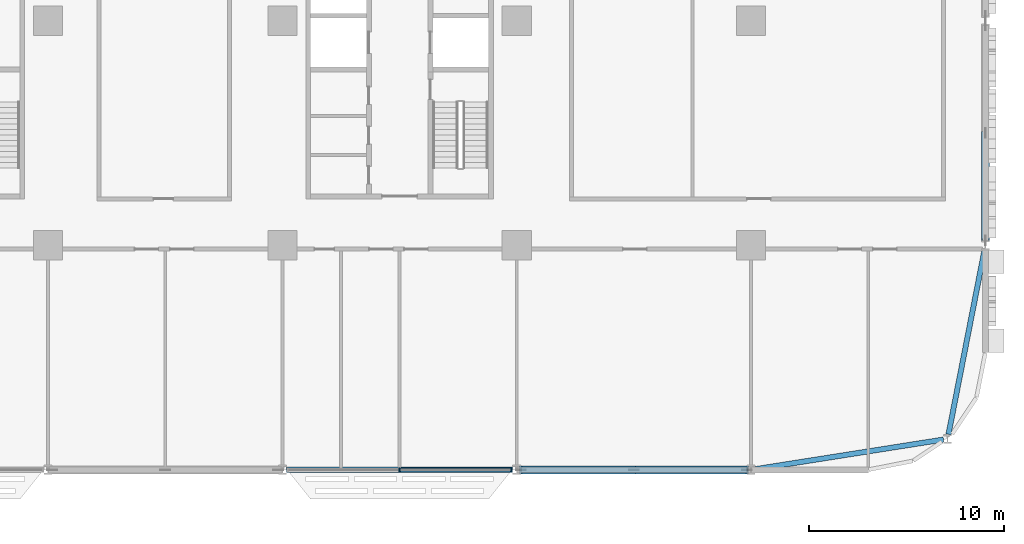
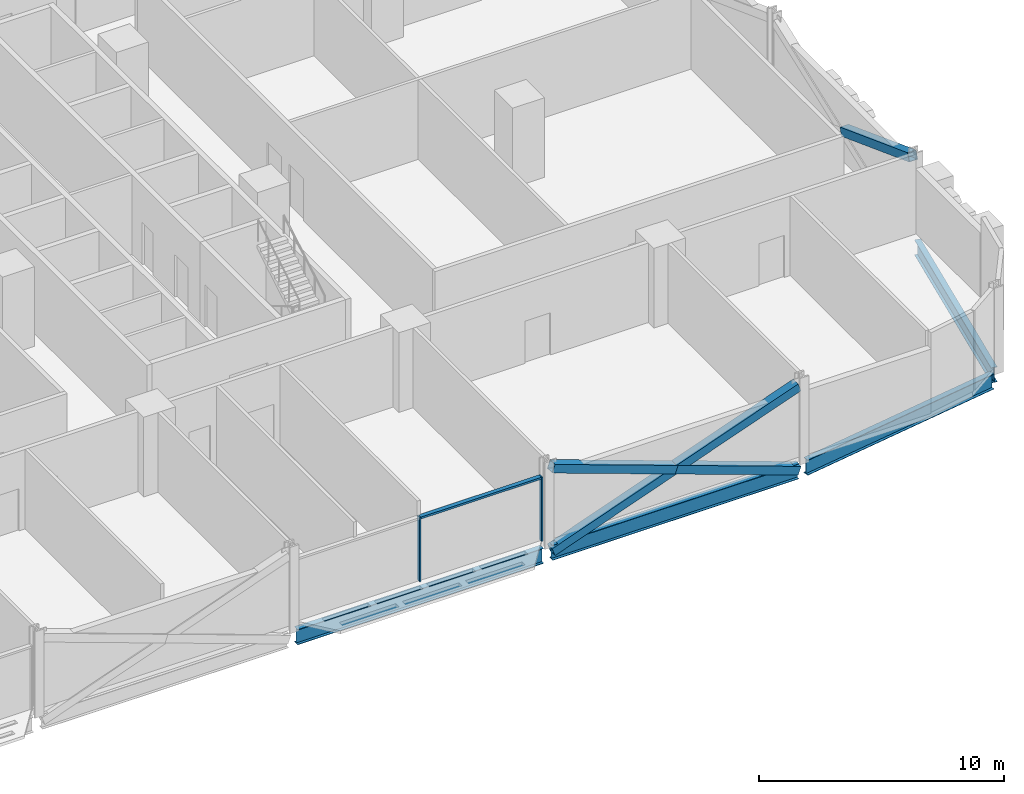
# One storey, part 8 of 29: 7 members, 4 beams, 1 element without a shape of its own.
"""IFC4 building model written with IfcOpenShell, lengths in metres."""

from ifc_helpers import new_model, si_unit, direction, frame, origin, origin_2d, place, context, subcontext, project, spatial, rectangle, hollow_rectangle, i_section, extrude, material, material_profile, profile_set, type_object, element, aggregate, save


model = new_model("IFC4")

# Units and contexts
model_context = context("Model", 3, precision=1e-05, world=origin(), true_north=direction((0.0, 1.0)))
body_context = subcontext(model_context, "Body", "Model", "MODEL_VIEW")
ifc_project = project(units=[si_unit("LENGTHUNIT", "METRE"), si_unit("AREAUNIT", "SQUARE_METRE"), si_unit("VOLUMEUNIT", "CUBIC_METRE"), si_unit("PLANEANGLEUNIT", "RADIAN"), si_unit("MASSUNIT", "GRAM", prefix="KILO")], contexts=[model_context])

# Site, building, storey
site_placement = place(None, origin())
site = spatial("IfcSite", under=ifc_project, at=site_placement, CompositionType="ELEMENT")
building_placement = place(site_placement, origin())
building = spatial("IfcBuilding", under=site, at=building_placement, Name="Mahtab Terrace Research Tower", CompositionType="ELEMENT")
storey_placement = place(building_placement, frame((0.0, 0.0, 58.89990234375)))
storey = spatial("IfcBuildingStorey", under=building, at=storey_placement, Name="L13", CompositionType="ELEMENT", Elevation=58.89990234375)

# Members
ifc_material_1 = material(Name="Steel ASTM A500 Gr C", Category="steel")
ifc_material_profile_1 = material_profile(ifc_material_1, hollow_rectangle(XDim=0.406494140625, YDim=0.406494140625, WallThickness=0.01904296875, at=origin_2d()), Name="HSS16X16X3/4")
ifc_profile_set_1 = profile_set([ifc_material_profile_1], Name="Steel ASTM A500 Gr C")
member_type_1 = type_object("IfcMemberType", Name="HSS 16x16x3/4 brace XB161634", PredefinedType="BRACE", material=ifc_profile_set_1)
member_1_placement = place(storey_placement, frame((30.212158203125, -23.0, -0.642333984375), z_axis=(0.941386519928, 0.0, 0.337329838731), x_axis=(0.0, 1.0, 0.0)))
element("IfcMember", 1, at=member_1_placement, inside=storey, type_object=member_type_1, Name="Exoskeleton brace L13 19 a", PredefinedType="BRACE", context=body_context, shape_type="SweptSolid", body=[
    extrude(hollow_rectangle(XDim=0.406494140625, YDim=0.406494140625, WallThickness=0.01904296875, at=origin_2d()), origin(), (0.0, 0.0, 1.0), 12.29638671875),
])
for number, where, z_axis, x_axis, name in (
    (2, (41.787841796875, -23.0, -0.642333984375), (-0.941386519928, 0.0, 0.337329838731), (0.0, -1.0, 0.0), "Exoskeleton brace L13 19 b1"),
    (3, (36.0, -23.0, 1.431640625), (-0.941386519928, 0.0, 0.337329838731), (0.0, -1.0, 0.0), "Exoskeleton brace L13 19 b2"),
):
    element("IfcMember", number, at=place(storey_placement, frame(where, z_axis=z_axis, x_axis=x_axis)), inside=storey, type_object=member_type_1, Name=name, PredefinedType="BRACE", context=body_context, shape_type="SweptSolid", body=[
        extrude(hollow_rectangle(XDim=0.406494140625, YDim=0.406494140625, WallThickness=0.01904296875, at=origin_2d()), origin(), (0.0, 0.0, 1.0), 6.148193359375),
    ])
member_2_placement = place(storey_placement, frame((54.0, -5.75, 1.431640625), z_axis=(0.0, -0.936657793787, 0.350245881259), x_axis=(1.0, 0.0, 0.0)))
element("IfcMember", 4, at=member_2_placement, inside=storey, type_object=member_type_1, Name="Exoskeleton brace L13 22 b2", PredefinedType="BRACE", context=body_context, shape_type="SweptSolid", body=[
    extrude(hollow_rectangle(XDim=0.406494140625, YDim=0.406494140625, WallThickness=0.01904296875, at=origin_2d()), origin(), (0.0, 0.0, 1.0), 5.88525390625),
])

# Curtain wall, members
ifc_material_2 = material(Name="Laboratory ribbon curtain wall")
curtain_wall_type = type_object("IfcCurtainWallType", Name="Laboratory ribbon curtain wall", PredefinedType="NOTDEFINED", material=ifc_material_2)
curtain_wall_placement = place(storey_placement, origin())
curtain_wall = element("IfcCurtainWall", 5, at=curtain_wall_placement, inside=storey, type_object=curtain_wall_type, Name="EN.L13.13.28", PredefinedType="NOTDEFINED")
ifc_material_3 = material(Name="Natural anodised aluminium", Category="aluminium")
ifc_material_profile_2 = material_profile(ifc_material_3, rectangle(XDim=0.199951171875, YDim=0.06494140625, at=origin_2d()), Name="MULLION 65x200")
ifc_profile_set_2 = profile_set([ifc_material_profile_2], Name="Natural anodised aluminium")
member_type_2 = type_object("IfcMemberType", Name="Laboratory ribbon curtain wall mullion", PredefinedType="MULLION", material=ifc_profile_set_2)
member_3_placement = place(storey_placement, frame((24.0, -23.0, 0.0), z_axis=(0.0, 0.0, 1.0), x_axis=(0.0, 1.0, 0.0)))
member_3 = element("IfcMember", 6, at=member_3_placement, type_object=member_type_2, Name="CWL-2 mullion 2", PredefinedType="MULLION", context=body_context, shape_type="SweptSolid", body=[
    extrude(rectangle(XDim=0.199951171875, YDim=0.06494140625, at=origin_2d()), origin(), (0.0, 0.0, 1.0), 3.203125),
])
member_4_placement = place(storey_placement, frame((29.7294921875, -23.0, 0.0), z_axis=(0.0, 0.0, 1.0), x_axis=(0.0, 1.0, 0.0)))
member_4 = element("IfcMember", 7, at=member_4_placement, type_object=member_type_2, Name="CWL-2 mullion 3", PredefinedType="MULLION", context=body_context, shape_type="SweptSolid", body=[
    extrude(rectangle(XDim=0.199951171875, YDim=0.06494140625, at=origin_2d()), origin(), (0.0, 0.0, 1.0), 3.203125),
])
ifc_material_profile_3 = material_profile(ifc_material_3, rectangle(XDim=0.199951171875, YDim=0.10009765625, at=origin_2d()), Name="TRANSOM 100x200")
ifc_profile_set_3 = profile_set([ifc_material_profile_3], Name="Natural anodised aluminium")
member_type_3 = type_object("IfcMemberType", Name="Laboratory ribbon curtain wall transom", PredefinedType="USERDEFINED", material=ifc_profile_set_3)
member_5_placement = place(storey_placement, frame((24.032470703125, -23.0, 3.153076171875), z_axis=(1.0, 0.0, 0.0), x_axis=(0.0, 1.0, 0.0)))
member_5 = element("IfcMember", 8, at=member_5_placement, type_object=member_type_3, Name="CWL-2 transom 2", ObjectType="TRANSOM", PredefinedType="USERDEFINED", context=body_context, shape_type="SweptSolid", body=[
    extrude(rectangle(XDim=0.199951171875, YDim=0.10009765625, at=origin_2d()), origin(), (0.0, 0.0, 1.0), 5.66455078125),
])
aggregate(curtain_wall, [member_3, member_4, member_5])

# Beams
ifc_material_4 = material(Name="Steel ASTM A992 Gr 50", Category="steel")
ifc_material_profile_4 = material_profile(ifc_material_4, i_section(OverallWidth=0.2666015625, OverallDepth=0.7568359375, WebThickness=0.013916015625, FlangeThickness=0.019287109375, at=origin_2d()), Name="W30X108")
ifc_profile_set_4 = profile_set([ifc_material_profile_4], Name="Steel ASTM A992 Gr 50")
beam_type = type_object("IfcBeamType", Name="W30x108 beam BS30108", PredefinedType="BEAM", material=ifc_profile_set_4)
for number, where, z_axis, x_axis, name in (
    (9, (18.212158203125, -23.0, -0.71826171875), (1.0, 0.0, 0.0), (0.0, 1.0, 0.0), "Spandrel beam L13 18"),
    (10, (30.212158203125, -23.0, -0.71826171875), (1.0, 0.0, 0.0), (0.0, 1.0, 0.0), "Spandrel beam L13 19"),
):
    element("IfcBeam", number, at=place(storey_placement, frame(where, z_axis=z_axis, x_axis=x_axis)), inside=storey, type_object=beam_type, Name=name, PredefinedType="BEAM", context=body_context, shape_type="SweptSolid", body=[
        extrude(i_section(OverallWidth=0.2666015625, OverallDepth=0.7568359375, WebThickness=0.013916015625, FlangeThickness=0.019287109375, at=origin_2d()), origin(), (0.0, 0.0, 1.0), 11.57568359375),
    ])
beam_1_placement = place(storey_placement, frame((42.212158203125, -22.966552734375, -0.71826171875), z_axis=(0.987836303792, 0.155497385545, 0.0), x_axis=(-0.155497385545, 0.987836303792, 0.0)))
element("IfcBeam", 11, at=beam_1_placement, inside=storey, type_object=beam_type, Name="Spandrel beam L13 20", PredefinedType="BEAM", context=body_context, shape_type="SweptSolid", body=[
    extrude(i_section(OverallWidth=0.2666015625, OverallDepth=0.7568359375, WebThickness=0.013916015625, FlangeThickness=0.019287109375, at=origin_2d()), origin(), (0.0, 0.0, 1.0), 9.75634765625),
])
beam_2_placement = place(storey_placement, frame((52.1083984375, -21.178466796875, -0.71826171875), z_axis=(0.191819239661, 0.981430272254, 0.0), x_axis=(-0.981430272254, 0.191819239661, 0.0)))
element("IfcBeam", 12, at=beam_2_placement, inside=storey, type_object=beam_type, Name="Spandrel beam L13 21", PredefinedType="BEAM", context=body_context, shape_type="SweptSolid", body=[
    extrude(i_section(OverallWidth=0.2666015625, OverallDepth=0.7568359375, WebThickness=0.013916015625, FlangeThickness=0.019287109375, at=origin_2d()), origin(), (0.0, 0.0, 1.0), 9.61962890625),
])

save(model, "model.ifc")
